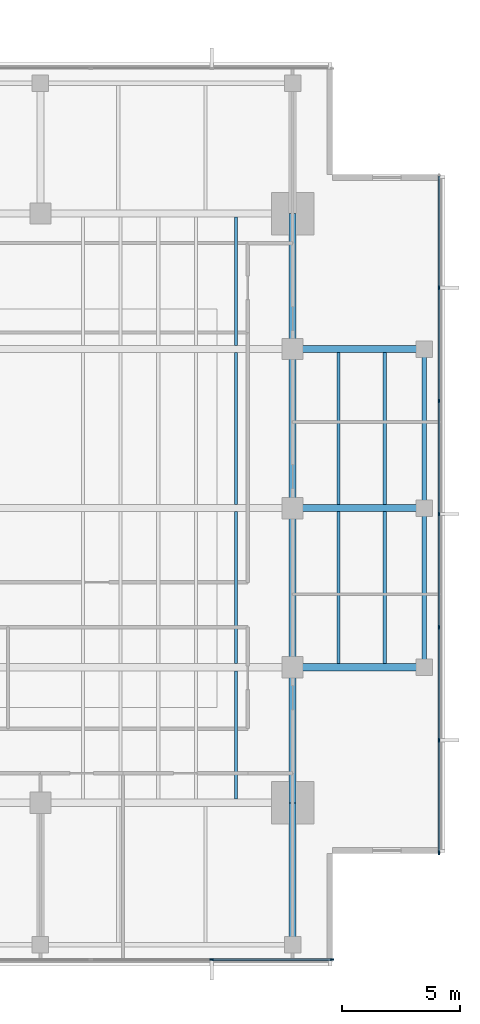
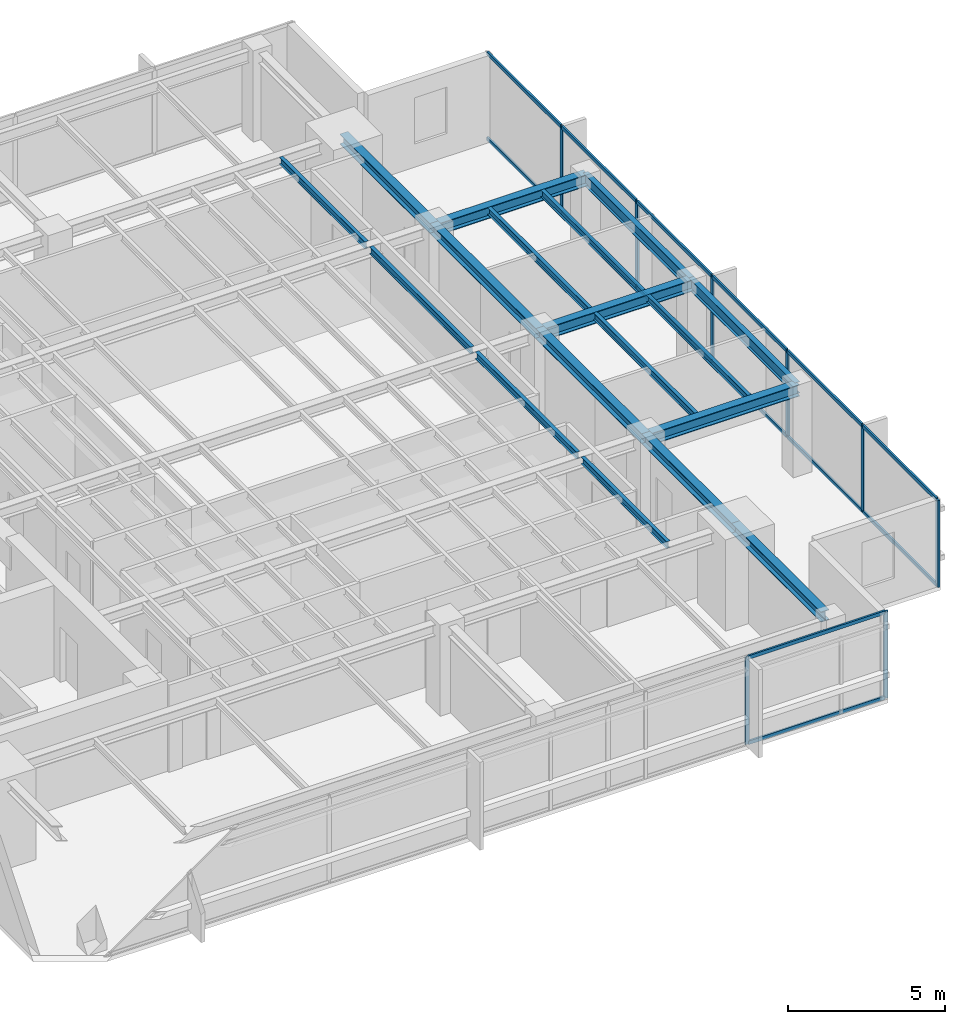
# One storey, part 4 of 14: 22 members, 18 beams, 2 elements without a shape of their own.
"""IFC4 building model written with IfcOpenShell, lengths in metres."""

from ifc_helpers import new_model, si_unit, direction, frame, origin, origin_2d, place, context, subcontext, project, spatial, rectangle, i_section, extrude, material, layer, layer_set, material_profile, profile_set, type_object, element, aggregate, save


model = new_model("IFC4")

# Units and contexts
model_context = context("Model", 3, precision=1e-05, world=origin(), true_north=direction((0.0, 1.0)))
body_context = subcontext(model_context, "Body", "Model", "MODEL_VIEW")
ifc_project = project(units=[si_unit("LENGTHUNIT", "METRE"), si_unit("AREAUNIT", "SQUARE_METRE"), si_unit("VOLUMEUNIT", "CUBIC_METRE"), si_unit("PLANEANGLEUNIT", "RADIAN"), si_unit("MASSUNIT", "GRAM", prefix="KILO")], contexts=[model_context])

# Site, building, storey
site_placement = place(None, origin())
site = spatial("IfcSite", under=ifc_project, at=site_placement, CompositionType="ELEMENT")
building_placement = place(site_placement, origin())
building = spatial("IfcBuilding", under=site, at=building_placement, Name="Kinhvarn Gate Tower", CompositionType="ELEMENT")
storey_placement = place(building_placement, frame((0.0, 0.0, 277.64990234375)))
storey = spatial("IfcBuildingStorey", under=building, at=storey_placement, Name="L74", CompositionType="ELEMENT", Elevation=277.64990234375)

# Curtain wall, members
ifc_material_1 = material(Name="Anodised aluminium AW-6063", Category="aluminium")
ifc_layer = layer(ifc_material_1, 0.179931640625)
ifc_layer_set = layer_set([ifc_layer], Name="Anodised aluminium AW-6063")
curtain_wall_type = type_object("IfcCurtainWallType", Name="CW-SYS-3", PredefinedType="NOTDEFINED", material=ifc_layer_set)
curtain_wall_1_placement = place(storey_placement, origin())
curtain_wall_1 = element("IfcCurtainWall", 1, at=curtain_wall_1_placement, inside=storey, type_object=curtain_wall_type, Name="Curtain Wall CW3 (L74)", PredefinedType="NOTDEFINED")
ifc_material_profile_1 = material_profile(ifc_material_1, rectangle(XDim=0.06494140625, YDim=0.159912109375, at=origin_2d()), Name="ALU 65x160")
ifc_profile_set_1 = profile_set([ifc_material_profile_1], Name="Anodised aluminium AW-6063")
member_type_1 = type_object("IfcMemberType", Name="CW-MUL-160", PredefinedType="MULLION", material=ifc_profile_set_1)
member_1_placement = place(storey_placement, frame((34.7666015625, 6.090087890625, 0.0), z_axis=(0.0, 0.0, 1.0), x_axis=(0.0, 1.0, 0.0)))
member_1 = element("IfcMember", 2, at=member_1_placement, type_object=member_type_1, Name="CW3 mullion 6", PredefinedType="MULLION", context=body_context, shape_type="SweptSolid", body=[
    extrude(rectangle(XDim=0.06494140625, YDim=0.159912109375, at=origin_2d()), origin(), (0.0, 0.0, 1.0), 3.39013671875),
])
member_2_placement = place(storey_placement, frame((39.867431640625, 6.090087890625, 0.0), z_axis=(0.0, 0.0, 1.0), x_axis=(0.0, 1.0, 0.0)))
member_2 = element("IfcMember", 3, at=member_2_placement, type_object=member_type_1, Name="CW3 mullion 7", PredefinedType="MULLION", context=body_context, shape_type="SweptSolid", body=[
    extrude(rectangle(XDim=0.06494140625, YDim=0.159912109375, at=origin_2d()), origin(), (0.0, 0.0, 1.0), 3.39013671875),
])

curtain_wall_2_placement = place(storey_placement, origin())
curtain_wall_2 = element("IfcCurtainWall", 4, at=curtain_wall_2_placement, inside=storey, type_object=curtain_wall_type, Name="Curtain Wall CW3 (L74)", PredefinedType="NOTDEFINED")
member_3_placement = place(storey_placement, frame((44.409912109375, 10.632568359375, 0.0), z_axis=(0.0, 0.0, 1.0), x_axis=(-1.0, 0.0, 0.0)))
member_3 = element("IfcMember", 5, at=member_3_placement, type_object=member_type_1, Name="CW3 mullion 1", PredefinedType="MULLION", context=body_context, shape_type="SweptSolid", body=[
    extrude(rectangle(XDim=0.06494140625, YDim=0.159912109375, at=origin_2d()), origin(), (0.0, 0.0, 1.0), 3.39013671875),
])
member_4_placement = place(storey_placement, frame((44.409912109375, 15.39990234375, 0.0), z_axis=(0.0, 0.0, 1.0), x_axis=(-1.0, 0.0, 0.0)))
member_4 = element("IfcMember", 6, at=member_4_placement, type_object=member_type_1, Name="CW3 mullion 2", PredefinedType="MULLION", context=body_context, shape_type="SweptSolid", body=[
    extrude(rectangle(XDim=0.06494140625, YDim=0.159912109375, at=origin_2d()), origin(), (0.0, 0.0, 1.0), 3.39013671875),
])
member_5_placement = place(storey_placement, frame((44.409912109375, 20.199951171875, 0.0), z_axis=(0.0, 0.0, 1.0), x_axis=(-1.0, 0.0, 0.0)))
member_5 = element("IfcMember", 7, at=member_5_placement, type_object=member_type_1, Name="CW3 mullion 3", PredefinedType="MULLION", context=body_context, shape_type="SweptSolid", body=[
    extrude(rectangle(XDim=0.06494140625, YDim=0.159912109375, at=origin_2d()), origin(), (0.0, 0.0, 1.0), 3.39013671875),
])
member_6_placement = place(storey_placement, frame((44.409912109375, 25.0, 0.0), z_axis=(0.0, 0.0, 1.0), x_axis=(-1.0, 0.0, 0.0)))
member_6 = element("IfcMember", 8, at=member_6_placement, type_object=member_type_1, Name="CW3 mullion 4", PredefinedType="MULLION", context=body_context, shape_type="SweptSolid", body=[
    extrude(rectangle(XDim=0.06494140625, YDim=0.159912109375, at=origin_2d()), origin(), (0.0, 0.0, 1.0), 3.39013671875),
])
member_7_placement = place(storey_placement, frame((44.409912109375, 29.800048828125, 0.0), z_axis=(0.0, 0.0, 1.0), x_axis=(-1.0, 0.0, 0.0)))
member_7 = element("IfcMember", 9, at=member_7_placement, type_object=member_type_1, Name="CW3 mullion 5", PredefinedType="MULLION", context=body_context, shape_type="SweptSolid", body=[
    extrude(rectangle(XDim=0.06494140625, YDim=0.159912109375, at=origin_2d()), origin(), (0.0, 0.0, 1.0), 3.39013671875),
])
member_8_placement = place(storey_placement, frame((44.409912109375, 34.60009765625, 0.0), z_axis=(0.0, 0.0, 1.0), x_axis=(-1.0, 0.0, 0.0)))
member_8 = element("IfcMember", 10, at=member_8_placement, type_object=member_type_1, Name="CW3 mullion 6", PredefinedType="MULLION", context=body_context, shape_type="SweptSolid", body=[
    extrude(rectangle(XDim=0.06494140625, YDim=0.159912109375, at=origin_2d()), origin(), (0.0, 0.0, 1.0), 3.39013671875),
])

# Member
ifc_material_profile_2 = material_profile(ifc_material_1, rectangle(XDim=0.070068359375, YDim=0.139892578125, at=origin_2d()), Name="ALU 70x140")
ifc_profile_set_2 = profile_set([ifc_material_profile_2], Name="Anodised aluminium AW-6063")
member_type_2 = type_object("IfcMemberType", Name="CW-TRN-140", PredefinedType="USERDEFINED", material=ifc_profile_set_2)
member_9_placement = place(storey_placement, frame((34.799072265625, 6.090087890625, 0.03515625), z_axis=(1.0, 0.0, 0.0), x_axis=(0.0, 1.0, 0.0)))
member_9 = element("IfcMember", 11, at=member_9_placement, type_object=member_type_2, Name="CW3 transom 6.1", ObjectType="TRANSOM", PredefinedType="USERDEFINED", context=body_context, shape_type="SweptSolid", body=[
    extrude(rectangle(XDim=0.070068359375, YDim=0.139892578125, at=origin_2d()), origin(), (0.0, 0.0, 1.0), 5.035888671875),
])

member_10_placement = place(storey_placement, frame((34.799072265625, 6.090087890625, 3.35498046875), z_axis=(1.0, 0.0, 0.0), x_axis=(0.0, 1.0, 0.0)))
member_10 = element("IfcMember", 12, at=member_10_placement, type_object=member_type_2, Name="CW3 transom 6.2", ObjectType="TRANSOM", PredefinedType="USERDEFINED", context=body_context, shape_type="SweptSolid", body=[
    extrude(rectangle(XDim=0.070068359375, YDim=0.139892578125, at=origin_2d()), origin(), (0.0, 0.0, 1.0), 5.035888671875),
])

aggregate(curtain_wall_1, [member_1, member_2, member_9, member_10])

member_11_placement = place(storey_placement, frame((44.409912109375, 10.6650390625, 0.03515625), z_axis=(0.0, 1.0, 0.0), x_axis=(-1.0, 0.0, 0.0)))
member_11 = element("IfcMember", 13, at=member_11_placement, type_object=member_type_2, Name="CW3 transom 1.1", ObjectType="TRANSOM", PredefinedType="USERDEFINED", context=body_context, shape_type="SweptSolid", body=[
    extrude(rectangle(XDim=0.070068359375, YDim=0.139892578125, at=origin_2d()), origin(), (0.0, 0.0, 1.0), 4.702392578125),
])

member_12_placement = place(storey_placement, frame((44.409912109375, 10.6650390625, 3.35498046875), z_axis=(0.0, 1.0, 0.0), x_axis=(-1.0, 0.0, 0.0)))
member_12 = element("IfcMember", 14, at=member_12_placement, type_object=member_type_2, Name="CW3 transom 1.2", ObjectType="TRANSOM", PredefinedType="USERDEFINED", context=body_context, shape_type="SweptSolid", body=[
    extrude(rectangle(XDim=0.070068359375, YDim=0.139892578125, at=origin_2d()), origin(), (0.0, 0.0, 1.0), 4.702392578125),
])

member_13_placement = place(storey_placement, frame((44.409912109375, 15.4326171875, 0.03515625), z_axis=(0.0, 1.0, 0.0), x_axis=(-1.0, 0.0, 0.0)))
member_13 = element("IfcMember", 15, at=member_13_placement, type_object=member_type_2, Name="CW3 transom 2.1", ObjectType="TRANSOM", PredefinedType="USERDEFINED", context=body_context, shape_type="SweptSolid", body=[
    extrude(rectangle(XDim=0.070068359375, YDim=0.139892578125, at=origin_2d()), origin(), (0.0, 0.0, 1.0), 4.73486328125),
])

member_14_placement = place(storey_placement, frame((44.409912109375, 15.4326171875, 3.35498046875), z_axis=(0.0, 1.0, 0.0), x_axis=(-1.0, 0.0, 0.0)))
member_14 = element("IfcMember", 16, at=member_14_placement, type_object=member_type_2, Name="CW3 transom 2.2", ObjectType="TRANSOM", PredefinedType="USERDEFINED", context=body_context, shape_type="SweptSolid", body=[
    extrude(rectangle(XDim=0.070068359375, YDim=0.139892578125, at=origin_2d()), origin(), (0.0, 0.0, 1.0), 4.73486328125),
])

member_15_placement = place(storey_placement, frame((44.409912109375, 20.232421875, 0.03515625), z_axis=(0.0, 1.0, 0.0), x_axis=(-1.0, 0.0, 0.0)))
member_15 = element("IfcMember", 17, at=member_15_placement, type_object=member_type_2, Name="CW3 transom 3.1", ObjectType="TRANSOM", PredefinedType="USERDEFINED", context=body_context, shape_type="SweptSolid", body=[
    extrude(rectangle(XDim=0.070068359375, YDim=0.139892578125, at=origin_2d()), origin(), (0.0, 0.0, 1.0), 4.735107421875),
])

member_16_placement = place(storey_placement, frame((44.409912109375, 20.232421875, 3.35498046875), z_axis=(0.0, 1.0, 0.0), x_axis=(-1.0, 0.0, 0.0)))
member_16 = element("IfcMember", 18, at=member_16_placement, type_object=member_type_2, Name="CW3 transom 3.2", ObjectType="TRANSOM", PredefinedType="USERDEFINED", context=body_context, shape_type="SweptSolid", body=[
    extrude(rectangle(XDim=0.070068359375, YDim=0.139892578125, at=origin_2d()), origin(), (0.0, 0.0, 1.0), 4.735107421875),
])

member_17_placement = place(storey_placement, frame((44.409912109375, 25.032470703125, 0.03515625), z_axis=(0.0, 1.0, 0.0), x_axis=(-1.0, 0.0, 0.0)))
member_17 = element("IfcMember", 19, at=member_17_placement, type_object=member_type_2, Name="CW3 transom 4.1", ObjectType="TRANSOM", PredefinedType="USERDEFINED", context=body_context, shape_type="SweptSolid", body=[
    extrude(rectangle(XDim=0.070068359375, YDim=0.139892578125, at=origin_2d()), origin(), (0.0, 0.0, 1.0), 4.735107421875),
])

member_18_placement = place(storey_placement, frame((44.409912109375, 25.032470703125, 3.35498046875), z_axis=(0.0, 1.0, 0.0), x_axis=(-1.0, 0.0, 0.0)))
member_18 = element("IfcMember", 20, at=member_18_placement, type_object=member_type_2, Name="CW3 transom 4.2", ObjectType="TRANSOM", PredefinedType="USERDEFINED", context=body_context, shape_type="SweptSolid", body=[
    extrude(rectangle(XDim=0.070068359375, YDim=0.139892578125, at=origin_2d()), origin(), (0.0, 0.0, 1.0), 4.735107421875),
])

member_19_placement = place(storey_placement, frame((44.409912109375, 29.83251953125, 0.03515625), z_axis=(0.0, 1.0, 0.0), x_axis=(-1.0, 0.0, 0.0)))
member_19 = element("IfcMember", 21, at=member_19_placement, type_object=member_type_2, Name="CW3 transom 5.1", ObjectType="TRANSOM", PredefinedType="USERDEFINED", context=body_context, shape_type="SweptSolid", body=[
    extrude(rectangle(XDim=0.070068359375, YDim=0.139892578125, at=origin_2d()), origin(), (0.0, 0.0, 1.0), 4.73486328125),
])

member_20_placement = place(storey_placement, frame((44.409912109375, 29.83251953125, 3.35498046875), z_axis=(0.0, 1.0, 0.0), x_axis=(-1.0, 0.0, 0.0)))
member_20 = element("IfcMember", 22, at=member_20_placement, type_object=member_type_2, Name="CW3 transom 5.2", ObjectType="TRANSOM", PredefinedType="USERDEFINED", context=body_context, shape_type="SweptSolid", body=[
    extrude(rectangle(XDim=0.070068359375, YDim=0.139892578125, at=origin_2d()), origin(), (0.0, 0.0, 1.0), 4.73486328125),
])

member_21_placement = place(storey_placement, frame((44.409912109375, 34.632568359375, 0.03515625), z_axis=(0.0, 1.0, 0.0), x_axis=(-1.0, 0.0, 0.0)))
member_21 = element("IfcMember", 23, at=member_21_placement, type_object=member_type_2, Name="CW3 transom 6.1", ObjectType="TRANSOM", PredefinedType="USERDEFINED", context=body_context, shape_type="SweptSolid", body=[
    extrude(rectangle(XDim=0.070068359375, YDim=0.139892578125, at=origin_2d()), origin(), (0.0, 0.0, 1.0), 4.702392578125),
])

member_22_placement = place(storey_placement, frame((44.409912109375, 34.632568359375, 3.35498046875), z_axis=(0.0, 1.0, 0.0), x_axis=(-1.0, 0.0, 0.0)))
member_22 = element("IfcMember", 24, at=member_22_placement, type_object=member_type_2, Name="CW3 transom 6.2", ObjectType="TRANSOM", PredefinedType="USERDEFINED", context=body_context, shape_type="SweptSolid", body=[
    extrude(rectangle(XDim=0.070068359375, YDim=0.139892578125, at=origin_2d()), origin(), (0.0, 0.0, 1.0), 4.702392578125),
])

aggregate(curtain_wall_2, [member_3, member_4, member_5, member_6, member_7, member_8, member_11, member_12, member_13, member_14, member_15, member_16, member_17, member_18, member_19, member_20, member_21, member_22])

# Beams
ifc_material_2 = material(Name="Steel S355", Category="steel")
ifc_material_profile_3 = material_profile(ifc_material_2, i_section(OverallWidth=0.300048828125, OverallDepth=0.39990234375, WebThickness=0.013427734375, FlangeThickness=0.02392578125, at=origin_2d()), Name="HEB 400")
ifc_profile_set_3 = profile_set([ifc_material_profile_3], Name="Steel S355")
beam_type_1 = type_object("IfcBeamType", Name="STL-HEB400", PredefinedType="BEAM", material=ifc_profile_set_3)
beam_1_placement = place(storey_placement, frame((38.199951171875, 7.054931640625, 3.190185546875), z_axis=(0.0, 1.0, 0.0), x_axis=(-1.0, 0.0, 0.0)))
element("IfcBeam", 25, at=beam_1_placement, inside=storey, type_object=beam_type_1, Name="Floor Beam PG-12 (L74 MCE-S)", PredefinedType="BEAM", context=body_context, shape_type="SweptSolid", body=[
    extrude(i_section(OverallWidth=0.300048828125, OverallDepth=0.39990234375, WebThickness=0.013427734375, FlangeThickness=0.02392578125, at=origin_2d()), origin(), (0.0, 0.0, 1.0), 5.695068359375),
])
beam_2_placement = place(storey_placement, frame((38.199951171875, 12.75, 3.190185546875), z_axis=(0.0, 1.0, 0.0), x_axis=(-1.0, 0.0, 0.0)))
element("IfcBeam", 26, at=beam_2_placement, inside=storey, type_object=beam_type_1, Name="Floor Beam PG-12 (L74 MG-E-12)", PredefinedType="BEAM", context=body_context, shape_type="SweptSolid", body=[
    extrude(i_section(OverallWidth=0.300048828125, OverallDepth=0.39990234375, WebThickness=0.013427734375, FlangeThickness=0.02392578125, at=origin_2d()), origin(), (0.0, 0.0, 1.0), 5.75),
])
for number, where, z_axis, x_axis, name in (
    (27, (38.199951171875, 18.5, 3.190185546875), (0.0, 1.0, 0.0), (-1.0, 0.0, 0.0), "Floor Beam PG-12 (L74 MG-E-18)"),
    (28, (38.199951171875, 25.25, 3.190185546875), (0.0, 1.0, 0.0), (-1.0, 0.0, 0.0), "Floor Beam PG-12 (L74 MG-E-25)"),
):
    element("IfcBeam", number, at=place(storey_placement, frame(where, z_axis=z_axis, x_axis=x_axis)), inside=storey, type_object=beam_type_1, Name=name, PredefinedType="BEAM", context=body_context, shape_type="SweptSolid", body=[
        extrude(i_section(OverallWidth=0.300048828125, OverallDepth=0.39990234375, WebThickness=0.013427734375, FlangeThickness=0.02392578125, at=origin_2d()), origin(), (0.0, 0.0, 1.0), 6.75),
    ])
beam_3_placement = place(storey_placement, frame((38.199951171875, 32.0, 3.190185546875), z_axis=(0.0, 1.0, 0.0), x_axis=(-1.0, 0.0, 0.0)))
element("IfcBeam", 29, at=beam_3_placement, inside=storey, type_object=beam_type_1, Name="Floor Beam PG-12 (L74 MG-E-32)", PredefinedType="BEAM", context=body_context, shape_type="SweptSolid", body=[
    extrude(i_section(OverallWidth=0.300048828125, OverallDepth=0.39990234375, WebThickness=0.013427734375, FlangeThickness=0.02392578125, at=origin_2d()), origin(), (0.0, 0.0, 1.0), 5.75),
])
ifc_material_profile_4 = material_profile(ifc_material_2, i_section(OverallWidth=0.300048828125, OverallDepth=0.449951171875, WebThickness=0.013916015625, FlangeThickness=0.02587890625, at=origin_2d()), Name="HEB 450")
ifc_profile_set_4 = profile_set([ifc_material_profile_4], Name="Steel S355")
beam_type_2 = type_object("IfcBeamType", Name="STL-HEB450", PredefinedType="BEAM", material=ifc_profile_set_4)
for number, where, z_axis, x_axis, name in (
    (30, (38.199951171875, 18.5, 3.1650390625), (1.0, 0.0, 0.0), (0.0, 1.0, 0.0), "Floor Beam PG-13 (L74 EW2-Y18)"),
    (31, (38.199951171875, 25.25, 3.1650390625), (1.0, 0.0, 0.0), (0.0, 1.0, 0.0), "Floor Beam PG-13 (L74 EW2-Y25)"),
    (32, (38.199951171875, 32.0, 3.1650390625), (1.0, 0.0, 0.0), (0.0, 1.0, 0.0), "Floor Beam PG-13 (L74 EW2-Y32)"),
):
    element("IfcBeam", number, at=place(storey_placement, frame(where, z_axis=z_axis, x_axis=x_axis)), inside=storey, type_object=beam_type_2, Name=name, PredefinedType="BEAM", context=body_context, shape_type="SweptSolid", body=[
        extrude(i_section(OverallWidth=0.300048828125, OverallDepth=0.449951171875, WebThickness=0.013916015625, FlangeThickness=0.02587890625, at=origin_2d()), origin(), (0.0, 0.0, 1.0), 5.580078125),
    ])
ifc_material_profile_5 = material_profile(ifc_material_2, i_section(OverallWidth=0.135009765625, OverallDepth=0.27001953125, WebThickness=0.006591796875, FlangeThickness=0.01025390625, at=origin_2d()), Name="IPE 270")
ifc_profile_set_5 = profile_set([ifc_material_profile_5], Name="Steel S355")
beam_type_3 = type_object("IfcBeamType", Name="STL-IPE270", PredefinedType="JOIST", material=ifc_profile_set_5)
beam_4_placement = place(storey_placement, frame((35.800048828125, 12.89990234375, 3.255126953125), z_axis=(0.0, 1.0, 0.0), x_axis=(-1.0, 0.0, 0.0)))
element("IfcBeam", 33, at=beam_4_placement, inside=storey, type_object=beam_type_3, Name="Floor Joist SB-01 (L74 JC-X358-0)", PredefinedType="JOIST", context=body_context, shape_type="SweptSolid", body=[
    extrude(i_section(OverallWidth=0.135009765625, OverallDepth=0.27001953125, WebThickness=0.006591796875, FlangeThickness=0.01025390625, at=origin_2d()), origin(), (0.0, 0.0, 1.0), 5.4501953125),
])
for number, where, z_axis, x_axis, name in (
    (34, (35.800048828125, 18.64990234375, 3.255126953125), (0.0, 1.0, 0.0), (-1.0, 0.0, 0.0), "Floor Joist SB-01 (L74 JC-X358-1)"),
    (35, (35.800048828125, 25.39990234375, 3.255126953125), (0.0, 1.0, 0.0), (-1.0, 0.0, 0.0), "Floor Joist SB-01 (L74 JC-X358-2)"),
):
    element("IfcBeam", number, at=place(storey_placement, frame(where, z_axis=z_axis, x_axis=x_axis)), inside=storey, type_object=beam_type_3, Name=name, PredefinedType="JOIST", context=body_context, shape_type="SweptSolid", body=[
        extrude(i_section(OverallWidth=0.135009765625, OverallDepth=0.27001953125, WebThickness=0.006591796875, FlangeThickness=0.01025390625, at=origin_2d()), origin(), (0.0, 0.0, 1.0), 6.4501953125),
    ])
beam_5_placement = place(storey_placement, frame((35.800048828125, 32.14990234375, 3.255126953125), z_axis=(0.0, 1.0, 0.0), x_axis=(-1.0, 0.0, 0.0)))
element("IfcBeam", 36, at=beam_5_placement, inside=storey, type_object=beam_type_3, Name="Floor Joist SB-01 (L74 JC-X358-3)", PredefinedType="JOIST", context=body_context, shape_type="SweptSolid", body=[
    extrude(i_section(OverallWidth=0.135009765625, OverallDepth=0.27001953125, WebThickness=0.006591796875, FlangeThickness=0.01025390625, at=origin_2d()), origin(), (0.0, 0.0, 1.0), 5.4501953125),
])
for number, where, z_axis, x_axis, name in (
    (37, (40.14990234375, 18.64990234375, 3.255126953125), (0.0, 1.0, 0.0), (-1.0, 0.0, 0.0), "Floor Joist SB-01 (L74 JC-X401-1)"),
    (38, (40.14990234375, 25.39990234375, 3.255126953125), (0.0, 1.0, 0.0), (-1.0, 0.0, 0.0), "Floor Joist SB-01 (L74 JC-X401-2)"),
    (39, (42.110107421875, 18.64990234375, 3.255126953125), (0.0, 1.0, 0.0), (-1.0, 0.0, 0.0), "Floor Joist SB-01 (L74 JC-X421-1)"),
    (40, (42.110107421875, 25.39990234375, 3.255126953125), (0.0, 1.0, 0.0), (-1.0, 0.0, 0.0), "Floor Joist SB-01 (L74 JC-X421-2)"),
):
    element("IfcBeam", number, at=place(storey_placement, frame(where, z_axis=z_axis, x_axis=x_axis)), inside=storey, type_object=beam_type_3, Name=name, PredefinedType="JOIST", context=body_context, shape_type="SweptSolid", body=[
        extrude(i_section(OverallWidth=0.135009765625, OverallDepth=0.27001953125, WebThickness=0.006591796875, FlangeThickness=0.01025390625, at=origin_2d()), origin(), (0.0, 0.0, 1.0), 6.4501953125),
    ])
ifc_material_profile_6 = material_profile(ifc_material_2, i_section(OverallWidth=0.18994140625, OverallDepth=0.449951171875, WebThickness=0.009521484375, FlangeThickness=0.0146484375, at=origin_2d()), Name="IPE 450")
ifc_profile_set_6 = profile_set([ifc_material_profile_6], Name="Steel S355")
beam_type_4 = type_object("IfcBeamType", Name="STL-IPE450", PredefinedType="JOIST", material=ifc_profile_set_6)
for number, where, z_axis, x_axis, name in (
    (41, (43.780029296875, 18.5, 3.1650390625), (0.0, 1.0, 0.0), (-1.0, 0.0, 0.0), "Floor Joist SB-06 (L74 SP-E2)"),
    (42, (43.780029296875, 25.25, 3.1650390625), (0.0, 1.0, 0.0), (-1.0, 0.0, 0.0), "Floor Joist SB-06 (L74 SP-E3)"),
):
    element("IfcBeam", number, at=place(storey_placement, frame(where, z_axis=z_axis, x_axis=x_axis)), inside=storey, type_object=beam_type_4, Name=name, PredefinedType="JOIST", context=body_context, shape_type="SweptSolid", body=[
        extrude(i_section(OverallWidth=0.18994140625, OverallDepth=0.449951171875, WebThickness=0.009521484375, FlangeThickness=0.0146484375, at=origin_2d()), origin(), (0.0, 0.0, 1.0), 6.75),
    ])

save(model, "model.ifc")
